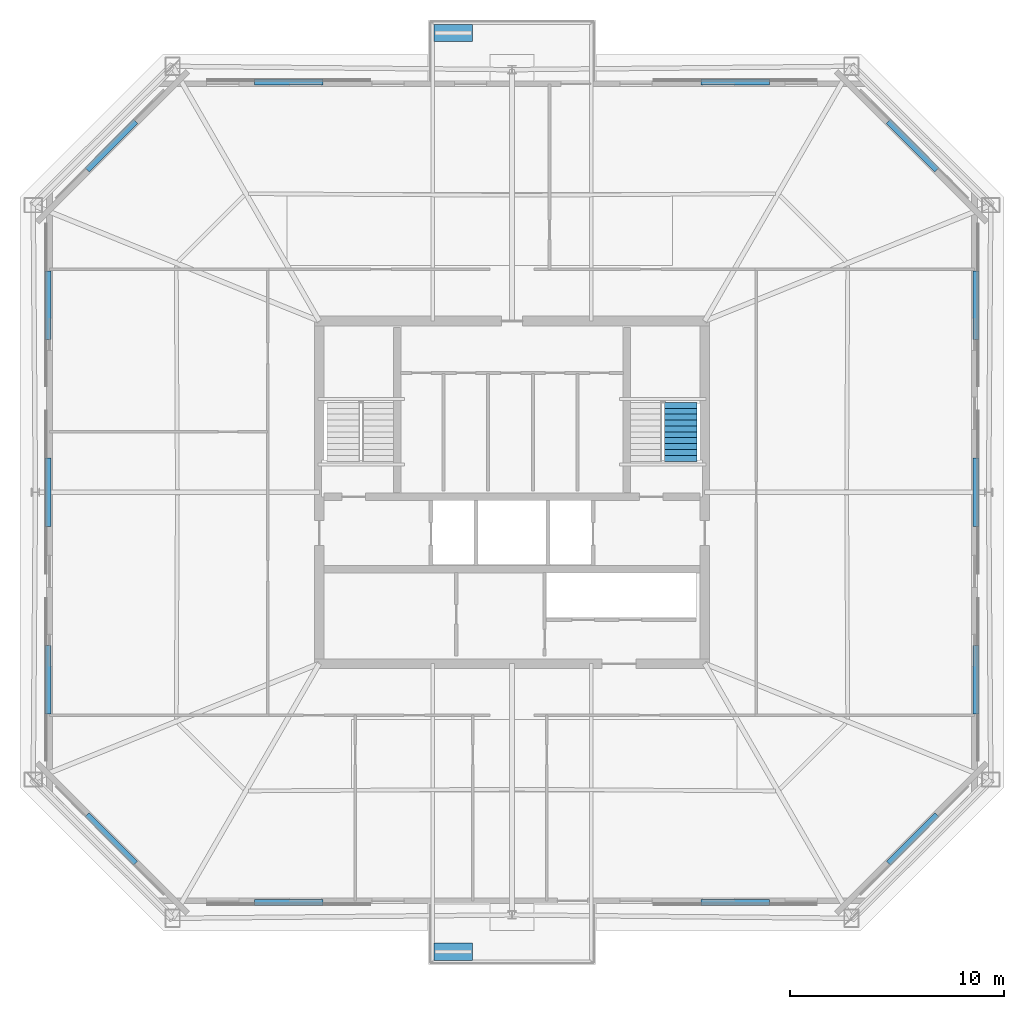
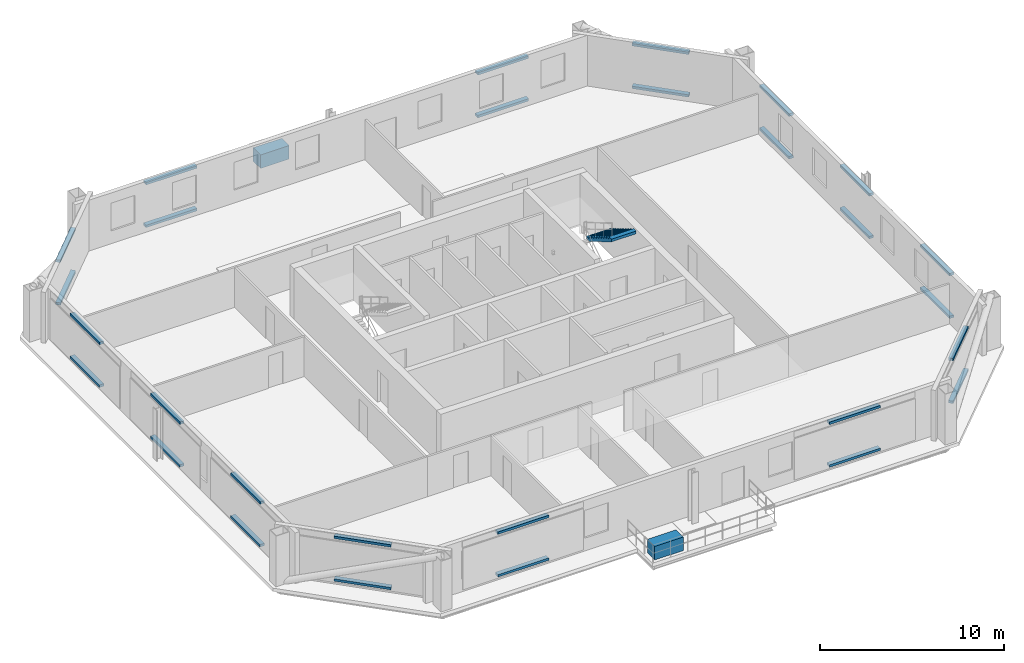
# One storey, part 5 of 7: 30 discrete accessories, 1 stair flight, 1 element without a shape of its own.
"""IFC4 building model written with IfcOpenShell, lengths in metres."""

import ifcopenshell
import ifcopenshell.guid

model = None  # the IFC model being written
_history = None  # IfcOwnerHistory: only IFC2X3 demands one
_inside = {}  # id of a spatial element -> (the spatial element, [elements in it])
_under = {}  # id of a project, library or spatial element -> (it, [spatial elements below it])
_declared = {}  # id of a project -> (the project, [libraries it declares])
_typed = {}  # id of a type object -> (the type object, [elements of that type])
_made_of = {}  # id of a material, layer set ... -> (it, [elements and type objects made of it])


def new_model(schema):
    """Start an empty IFC model of exactly this schema.

    Asked for "IFC4X3", IfcOpenShell would pick the latest addendum, in which some entities
    have other attributes; the version numbers below select the first issue.
    IFC2X3 requires an IfcOwnerHistory on every rooted entity: one is made here for all.
    """
    global model, _history
    if schema == "IFC4X3":
        model = ifcopenshell.file(schema_version=(4, 3, 0, 0))
    else:
        model = ifcopenshell.file(schema=schema)
    _inside.clear()
    _under.clear()
    _declared.clear()
    _typed.clear()
    _made_of.clear()
    _history = None
    if model.schema == "IFC2X3":
        org = make("IfcOrganization", Name="unknown")
        user = make(
            "IfcPersonAndOrganization",
            ThePerson=make("IfcPerson", FamilyName="unknown"),
            TheOrganization=org,
        )
        app = make(
            "IfcApplication",
            ApplicationDeveloper=org,
            Version="unknown",
            ApplicationFullName="unknown",
            ApplicationIdentifier="unknown",
        )
        _history = make(
            "IfcOwnerHistory",
            OwningUser=user,
            OwningApplication=app,
            ChangeAction="ADDED",
            CreationDate=0,
        )
    return model


def make(cls, **values):
    """One entity of the class cls with the attributes given. An attribute that is None is left unset."""
    return model.create_entity(
        cls, **{name: value for name, value in values.items() if value is not None}
    )


def rooted(cls, **values):
    """An entity with a GlobalId (a new one), such as an element, a storey or a relation."""
    return make(cls, GlobalId=ifcopenshell.guid.new(), OwnerHistory=_history, **values)


def si_unit(unit_type, name, prefix=None):
    """IfcSIUnit, for example si_unit("LENGTHUNIT", "METRE", prefix="MILLI")."""
    return make("IfcSIUnit", UnitType=unit_type, Prefix=prefix, Name=name)


def assignment(units):
    """IfcUnitAssignment: the units of a project."""
    return None if units is None else make("IfcUnitAssignment", Units=units)


def point(xyz):
    """IfcCartesianPoint."""
    return None if xyz is None else make("IfcCartesianPoint", Coordinates=xyz)


def direction(xyz):
    """IfcDirection."""
    return None if xyz is None else make("IfcDirection", DirectionRatios=xyz)


def frame(location, z_axis=None, x_axis=None):
    """IfcAxis2Placement3D, a coordinate frame: its origin and axes. An axis left out is left unset."""
    return make(
        "IfcAxis2Placement3D",
        Location=point(location),
        Axis=direction(z_axis),
        RefDirection=direction(x_axis),
    )


def frame_2d(location, x_axis=None):
    """IfcAxis2Placement2D, a coordinate frame in the plane: its origin and x axis."""
    return make(
        "IfcAxis2Placement2D", Location=point(location), RefDirection=direction(x_axis)
    )


def origin():
    """The frame at (0, 0, 0) with its axes left unset."""
    return frame((0.0, 0.0, 0.0))


def origin_2d():
    """The frame at (0, 0) in the plane with its x axis left unset."""
    return frame_2d((0.0, 0.0))


def place(relative_to, where):
    """IfcLocalPlacement: puts the frame where relative to a parent placement (None: the world)."""
    return make(
        "IfcLocalPlacement", PlacementRelTo=relative_to, RelativePlacement=where
    )


def context(
    kind, dimensions, precision=None, world=None, true_north=None, identifier=None
):
    """IfcGeometricRepresentationContext, for example the 3D "Model" context."""
    return make(
        "IfcGeometricRepresentationContext",
        ContextIdentifier=identifier,
        ContextType=kind,
        CoordinateSpaceDimension=dimensions,
        Precision=precision,
        WorldCoordinateSystem=world,
        TrueNorth=true_north,
    )


def subcontext(parent, identifier, kind, view, scale=None):
    """IfcGeometricRepresentationSubContext, for example "Body" below "Model"."""
    return make(
        "IfcGeometricRepresentationSubContext",
        ContextIdentifier=identifier,
        ContextType=kind,
        ParentContext=parent,
        TargetScale=scale,
        TargetView=view,
    )


def project(units=None, contexts=None):
    """IfcProject with its units and contexts."""
    return rooted(
        "IfcProject",
        Name="project",
        RepresentationContexts=contexts,
        UnitsInContext=assignment(units),
    )


def spatial(cls, under=None, at=None, **own):
    """A site, building, storey or space (cls), placed at a placement, below another one or the project."""
    s = rooted(cls, ObjectPlacement=at, **own)
    if under is not None:
        _under.setdefault(under.id(), (under, []))[1].append(s)
    return s


def polyline(points):
    """IfcPolyline through the points."""
    return make("IfcPolyline", Points=[point(p) for p in points])


def profile(cls, at=None, kind="AREA", **sizes):
    """A parametric profile (cls). Its sizes go by their IFC names, for example OverallWidth=200.0."""
    return make(cls, ProfileType=kind, Position=at, **sizes)


def rectangle(**sizes):
    """IfcRectangleProfileDef."""
    return profile("IfcRectangleProfileDef", **sizes)


def outline(outer, holes=None, kind="AREA"):
    """IfcArbitraryClosedProfileDef: a profile drawn as a closed curve; with holes, ...WithVoids."""
    if holes is None:
        return make("IfcArbitraryClosedProfileDef", ProfileType=kind, OuterCurve=outer)
    return make(
        "IfcArbitraryProfileDefWithVoids",
        ProfileType=kind,
        OuterCurve=outer,
        InnerCurves=holes,
    )


def extrude(swept, where, along, depth):
    """IfcExtrudedAreaSolid: the profile swept, set in the frame where, extruded along a direction by depth."""
    return make(
        "IfcExtrudedAreaSolid",
        SweptArea=swept,
        Position=where,
        ExtrudedDirection=direction(along),
        Depth=depth,
    )


def shape(context_of_items, identifier, shape_type, items):
    """IfcShapeRepresentation: the items that make up one representation, for example the "Body"."""
    return make(
        "IfcShapeRepresentation",
        ContextOfItems=context_of_items,
        RepresentationIdentifier=identifier,
        RepresentationType=shape_type,
        Items=items,
    )


def material(Name=None, Category=None):
    """IfcMaterial."""
    return make("IfcMaterial", Name=Name, Category=Category)


def made_of(thing, what):
    """Note that an element or type object is made of a material, layer set ...; save() writes the relation."""
    if what is not None:
        _made_of.setdefault(what.id(), (what, []))[1].append(thing)
    return thing


def type_object(cls, material=None, **own):
    """A type object (cls), such as IfcWallType, which elements share."""
    return made_of(rooted(cls, **own), material)


def element(
    cls,
    number,
    at=None,
    inside=None,
    cuts=None,
    type_object=None,
    material=None,
    context=None,
    identifier="Body",
    shape_type=None,
    held_by="IfcProductDefinitionShape",
    body=None,
    shapes=None,
    **own,
):
    """One element of the class cls, such as IfcWall. Its Tag is "e" and its number.

    at: its placement. inside: the storey or other place that contains it. cuts: it is an
    opening in that element (IfcRelVoidsElement). A single representation is given by context,
    identifier, shape_type and body (its items); several are given by shapes. held_by: the class
    of the entity that holds the representations. save() writes the other relations.
    """
    e = rooted(cls, Tag="e%d" % number, ObjectPlacement=at, **own)
    if body is not None:
        shapes = [shape(context, identifier, shape_type, body)]
    if shapes is not None:
        e.Representation = make(held_by, Representations=shapes)
    if inside is not None:
        _inside.setdefault(inside.id(), (inside, []))[1].append(e)
    if cuts is not None:
        rooted(
            "IfcRelVoidsElement", RelatingBuildingElement=cuts, RelatedOpeningElement=e
        )
    if type_object is not None:
        _typed.setdefault(type_object.id(), (type_object, []))[1].append(e)
    return made_of(e, material)


def aggregate(whole, parts):
    """IfcRelAggregates: a whole, such as a stair, and the parts it consists of."""
    return rooted("IfcRelAggregates", RelatingObject=whole, RelatedObjects=parts)


def save(model, path):
    """Write the relations noted so far, then the file.

    IfcRelAggregates (storeys below a building ...), IfcRelContainedInSpatialStructure (elements
    in a storey), IfcRelDefinesByType, IfcRelAssociatesMaterial and IfcRelDeclares: one each for
    every whole, place, type object, material and project.
    """
    for whole, parts in _under.values():
        aggregate(whole, parts)
    for where, things in _inside.values():
        rooted(
            "IfcRelContainedInSpatialStructure",
            RelatedElements=things,
            RelatingStructure=where,
        )
    for kind, things in _typed.values():
        rooted("IfcRelDefinesByType", RelatedObjects=things, RelatingType=kind)
    for what, things in _made_of.values():
        rooted("IfcRelAssociatesMaterial", RelatedObjects=things, RelatingMaterial=what)
    for by, libraries in _declared.values():
        rooted("IfcRelDeclares", RelatingContext=by, RelatedDefinitions=libraries)
    model.write(path)


model = new_model("IFC4")

# Units and contexts
model_context = context("Model", 3, precision=1e-05, world=origin(), true_north=direction((0.0, 1.0)))
body_context = subcontext(model_context, "Body", "Model", "MODEL_VIEW")
ifc_project = project(units=[si_unit("LENGTHUNIT", "METRE"), si_unit("AREAUNIT", "SQUARE_METRE"), si_unit("VOLUMEUNIT", "CUBIC_METRE"), si_unit("PLANEANGLEUNIT", "RADIAN"), si_unit("MASSUNIT", "GRAM", prefix="KILO")], contexts=[model_context])

# Site, building, storey
site_placement = place(None, origin())
site = spatial("IfcSite", under=ifc_project, at=site_placement, CompositionType="ELEMENT")
building_placement = place(site_placement, origin())
building = spatial("IfcBuilding", under=site, at=building_placement, Name="Caelvoria Tower", CompositionType="ELEMENT")
storey_placement = place(building_placement, frame((0.0, 0.0, 191.39990234375)))
storey = spatial("IfcBuildingStorey", under=building, at=storey_placement, Name="L50", CompositionType="ELEMENT", Elevation=191.39990234375)

# Stair, stair flight
ifc_material_1 = material(Name="Concrete C40/50", Category="concrete")
stair_type = type_object("IfcStairType", Name="Core Smokeproof Dogleg Stair Concrete C40/50", PredefinedType="HALF_TURN_STAIR", material=ifc_material_1)
stair_placement = place(storey_placement, origin())
stair = element("IfcStair", 1, at=stair_placement, inside=storey, type_object=stair_type, Name="ST-02 Smokeproof Exit Stair L50", PredefinedType="HALF_TURN_STAIR")
ifc_material_2 = material(Name="Precast Concrete C40/50", Category="concrete")
stair_flight_type = type_object("IfcStairFlightType", Name="Precast Concrete C40/50 Stair Flight 1480", PredefinedType="STRAIGHT", material=ifc_material_2)
stair_flight_placement = place(storey_placement, frame((53.8701171875, 36.199951171875, 1.800048828125), z_axis=(0.0, 0.0, 1.0), x_axis=(0.0, -1.0, 0.0)))
stair_flight = element("IfcStairFlight", 2, at=stair_flight_placement, type_object=stair_flight_type, Name="ST-02 flight 2", NumberOfRisers=11, NumberOfTreads=10, PredefinedType="STRAIGHT", RiserHeight=0.1636, TreadLength=0.275, context=body_context, shape_type="SweptSolid", body=[
    extrude(outline(polyline([(0.0, 0.0), (0.0, 0.16357421875), (0.27490234375, 0.16357421875), (0.27490234375, 0.3271484375), (0.550048828125, 0.3271484375), (0.550048828125, 0.49072265625), (0.824951171875, 0.49072265625), (0.824951171875, 0.654296875), (1.10009765625, 0.654296875), (1.10009765625, 0.818115234375), (1.375, 0.818115234375), (1.375, 0.981689453125), (1.64990234375, 0.981689453125), (1.64990234375, 1.145263671875), (1.925048828125, 1.145263671875), (1.925048828125, 1.308837890625), (2.199951171875, 1.308837890625), (2.199951171875, 1.472412109375), (2.47509765625, 1.472412109375), (2.47509765625, 1.635986328125), (2.75, 1.635986328125), (2.75, 1.799560546875), (2.75, 1.449951171875), (0.312744140625, 0.0), (0.0, 0.0)])), frame((0.0, 0.77001953125, 0.0), z_axis=(0.0, -1.0, 0.0), x_axis=(1.0, 0.0, 0.0)), (0.0, 0.0, 1.0), 1.5400390625),
])
aggregate(stair, [stair_flight])

# Discrete accessories
ifc_material_3 = material(Name="Anodised Bronze Stainless Bracket", Category="bronze")
discrete_accessory_type_1 = type_object("IfcDiscreteAccessoryType", Name="Solar Screen Outrigger Support Bracket", PredefinedType="BRACKET", material=ifc_material_3)
for number, where, z_axis, x_axis, name in (
    (3, (35.5732421875, 12.84716796875, 0.240234375), (0.0, 0.0, 1.0), (1.0, 0.0, 0.0), "Solar Screen Bracket L50-E0-00"),
    (4, (35.5732421875, 12.84716796875, 3.0751953125), (0.0, 0.0, 1.0), (1.0, 0.0, 0.0), "Upper Screen Band Bracket L50-E0-00"),
    (5, (56.4267578125, 12.84716796875, 0.240234375), (0.0, 0.0, 1.0), (1.0, 0.0, 0.0), "Solar Screen Bracket L50-E0-02"),
    (6, (56.4267578125, 12.84716796875, 3.0751953125), (0.0, 0.0, 1.0), (1.0, 0.0, 0.0), "Upper Screen Band Bracket L50-E0-02"),
    (7, (64.7158203125, 15.80419921875, 0.240234375), (0.0, 0.0, 1.0), (0.707106781187, 0.707106781187, 0.0), "Solar Screen Bracket L50-E1-00"),
    (8, (64.7158203125, 15.80419921875, 3.0751953125), (0.0, 0.0, 1.0), (0.707106781187, 0.707106781187, 0.0), "Upper Screen Band Bracket L50-E1-00"),
    (9, (67.6728515625, 23.25341796875, 0.240234375), (0.0, 0.0, 1.0), (0.0, 1.0, 0.0), "Solar Screen Bracket L50-E2-00"),
    (10, (67.6728515625, 23.25341796875, 3.0751953125), (0.0, 0.0, 1.0), (0.0, 1.0, 0.0), "Upper Screen Band Bracket L50-E2-00"),
    (11, (67.6728515625, 32.0, 0.240234375), (0.0, 0.0, 1.0), (0.0, 1.0, 0.0), "Solar Screen Bracket L50-E2-01"),
    (12, (67.6728515625, 32.0, 3.0751953125), (0.0, 0.0, 1.0), (0.0, 1.0, 0.0), "Upper Screen Band Bracket L50-E2-01"),
    (13, (67.6728515625, 40.74658203125, 0.240234375), (0.0, 0.0, 1.0), (0.0, 1.0, 0.0), "Solar Screen Bracket L50-E2-02"),
    (14, (67.6728515625, 40.74658203125, 3.0751953125), (0.0, 0.0, 1.0), (0.0, 1.0, 0.0), "Upper Screen Band Bracket L50-E2-02"),
    (15, (64.7158203125, 48.19580078125, 0.240234375), (0.0, 0.0, 1.0), (-0.707106781187, 0.707106781187, 0.0), "Solar Screen Bracket L50-E3-00"),
    (16, (64.7158203125, 48.19580078125, 3.0751953125), (0.0, 0.0, 1.0), (-0.707106781187, 0.707106781187, 0.0), "Upper Screen Band Bracket L50-E3-00"),
    (17, (56.4267578125, 51.15283203125, 0.240234375), (0.0, 0.0, 1.0), (-1.0, 0.0, 0.0), "Solar Screen Bracket L50-E4-00"),
    (18, (56.4267578125, 51.15283203125, 3.0751953125), (0.0, 0.0, 1.0), (-1.0, 0.0, 0.0), "Upper Screen Band Bracket L50-E4-00"),
    (19, (35.5732421875, 51.15283203125, 0.240234375), (0.0, 0.0, 1.0), (-1.0, 0.0, 0.0), "Solar Screen Bracket L50-E4-02"),
    (20, (35.5732421875, 51.15283203125, 3.0751953125), (0.0, 0.0, 1.0), (-1.0, 0.0, 0.0), "Upper Screen Band Bracket L50-E4-02"),
    (21, (27.2841796875, 48.19580078125, 0.240234375), (0.0, 0.0, 1.0), (-0.707106781187, -0.707106781187, 0.0), "Solar Screen Bracket L50-E5-00"),
    (22, (27.2841796875, 48.19580078125, 3.0751953125), (0.0, 0.0, 1.0), (-0.707106781187, -0.707106781187, 0.0), "Upper Screen Band Bracket L50-E5-00"),
    (23, (24.3271484375, 40.74658203125, 0.240234375), (0.0, 0.0, 1.0), (0.0, -1.0, 0.0), "Solar Screen Bracket L50-E6-00"),
    (24, (24.3271484375, 40.74658203125, 3.0751953125), (0.0, 0.0, 1.0), (0.0, -1.0, 0.0), "Upper Screen Band Bracket L50-E6-00"),
    (25, (24.3271484375, 32.0, 0.240234375), (0.0, 0.0, 1.0), (0.0, -1.0, 0.0), "Solar Screen Bracket L50-E6-01"),
    (26, (24.3271484375, 32.0, 3.0751953125), (0.0, 0.0, 1.0), (0.0, -1.0, 0.0), "Upper Screen Band Bracket L50-E6-01"),
    (27, (24.3271484375, 23.25341796875, 0.240234375), (0.0, 0.0, 1.0), (0.0, -1.0, 0.0), "Solar Screen Bracket L50-E6-02"),
    (28, (24.3271484375, 23.25341796875, 3.0751953125), (0.0, 0.0, 1.0), (0.0, -1.0, 0.0), "Upper Screen Band Bracket L50-E6-02"),
    (29, (27.2841796875, 15.80419921875, 0.240234375), (0.0, 0.0, 1.0), (0.707106781187, -0.707106781187, 0.0), "Solar Screen Bracket L50-E7-00"),
    (30, (27.2841796875, 15.80419921875, 3.0751953125), (0.0, 0.0, 1.0), (0.707106781187, -0.707106781187, 0.0), "Upper Screen Band Bracket L50-E7-00"),
):
    element("IfcDiscreteAccessory", number, at=place(storey_placement, frame(where, z_axis=z_axis, x_axis=x_axis)), inside=storey, type_object=discrete_accessory_type_1, Name=name, PredefinedType="BRACKET", context=body_context, shape_type="SweptSolid", body=[
        extrude(rectangle(XDim=3.199951171875, YDim=0.280029296875, at=origin_2d()), origin(), (0.0, 0.0, 1.0), 0.159912109375),
    ])
ifc_material_4 = material(Name="Bronze-Clad Concrete C40/50 Planter Vessel", Category="concrete")
discrete_accessory_type_2 = type_object("IfcDiscreteAccessoryType", Name="Tree Balcony Structural Planter Vessel PLANTER", PredefinedType="USERDEFINED", material=ifc_material_4)
for number, where, z_axis, x_axis, name in (
    (31, (43.25, 10.5400390625, 0.000244140625), (0.0, 0.0, 1.0), (1.0, 0.0, 0.0), "Tree Balcony Planter TB-L50-S"),
    (32, (43.25, 53.4599609375, 0.000244140625), (0.0, 0.0, 1.0), (1.0, 0.0, 0.0), "Tree Balcony Planter TB-L50-N"),
):
    element("IfcDiscreteAccessory", number, at=place(storey_placement, frame(where, z_axis=z_axis, x_axis=x_axis)), inside=storey, type_object=discrete_accessory_type_2, Name=name, ObjectType="PLANTER", PredefinedType="USERDEFINED", context=body_context, shape_type="SweptSolid", body=[
        extrude(rectangle(XDim=1.800048828125, YDim=0.800048828125, at=origin_2d()), origin(), (0.0, 0.0, 1.0), 0.89990234375),
    ])

save(model, "model.ifc")
